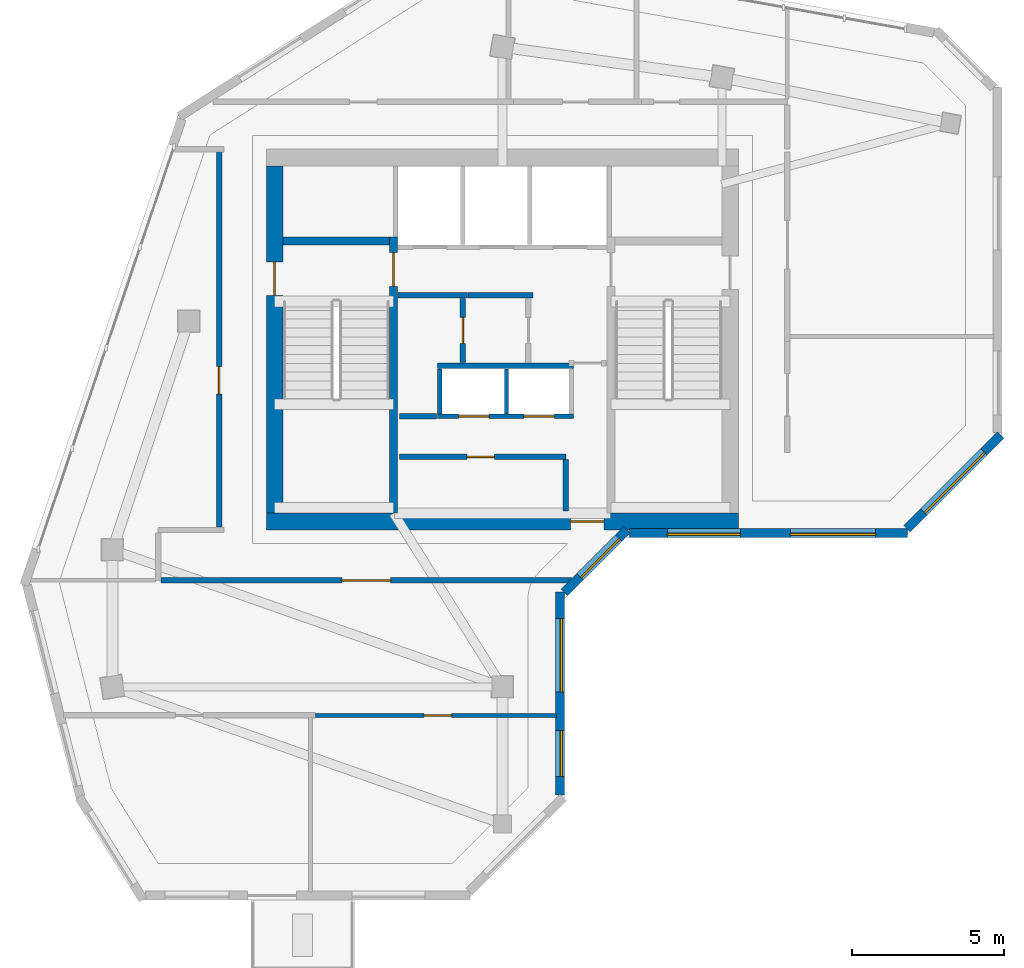
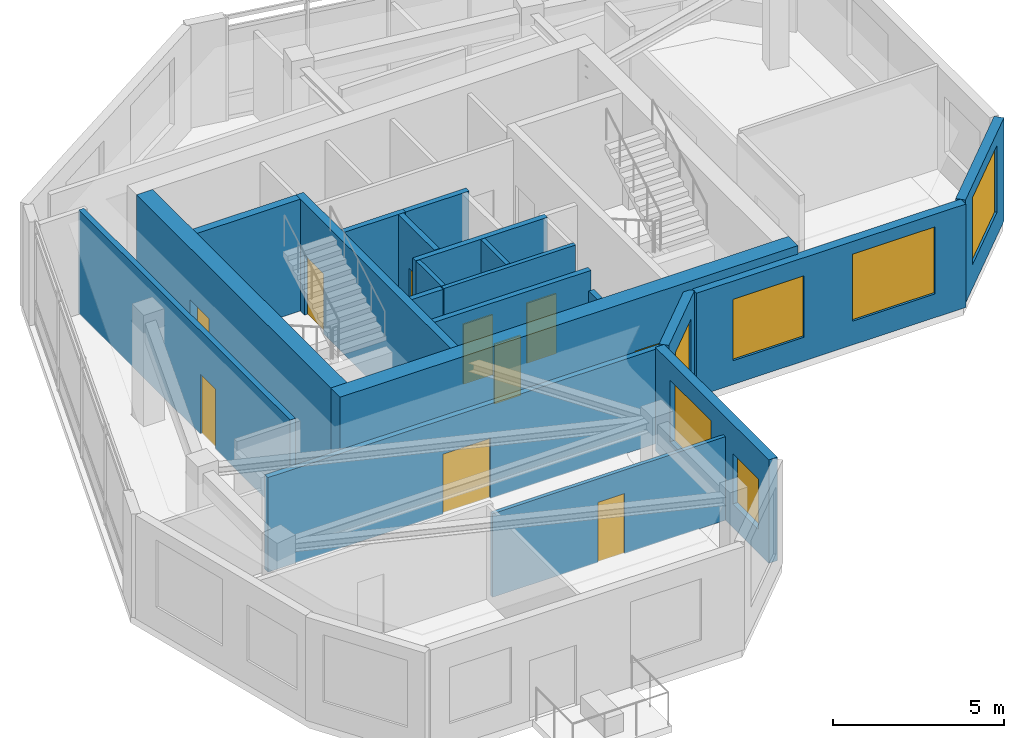
# One storey, part 3 of 8: 21 walls, 10 doors, 6 windows, 16 openings.
"""IFC4 building model written with IfcOpenShell, lengths in metres."""

from ifc_helpers import new_model, si_unit, direction, frame, frame_2d, origin, place, context, subcontext, project, spatial, rectangle, extrude, source, transform, mapped, material, layer, layer_set, type_object, element, fill, save


model = new_model("IFC4")

# Units and contexts
model_context = context("Model", 3, precision=1e-05, world=origin(), true_north=direction((0.0, 1.0)))
body_context = subcontext(model_context, "Body", "Model", "MODEL_VIEW")
ifc_project = project(units=[si_unit("LENGTHUNIT", "METRE"), si_unit("AREAUNIT", "SQUARE_METRE"), si_unit("VOLUMEUNIT", "CUBIC_METRE"), si_unit("PLANEANGLEUNIT", "RADIAN"), si_unit("MASSUNIT", "GRAM", prefix="KILO")], contexts=[model_context])

# Site, building, storey
site_placement = place(None, origin())
site = spatial("IfcSite", under=ifc_project, at=site_placement, CompositionType="ELEMENT")
building_placement = place(site_placement, origin())
building = spatial("IfcBuilding", under=site, at=building_placement, Name="Calvemar Wedge Station Tower", CompositionType="ELEMENT")
storey_placement = place(building_placement, frame((0.0, 0.0, 300.5)))
storey = spatial("IfcBuildingStorey", under=building, at=storey_placement, Name="L77", CompositionType="ELEMENT", Elevation=300.5)

# Wall, opening, door
ifc_material_1 = material(Name="Concrete C50", Category="concrete")
ifc_layer_1 = layer(ifc_material_1, 0.260009765625)
ifc_layer_set_1 = layer_set([ifc_layer_1], Name="Concrete C50")
wall_type_1 = type_object("IfcWallType", Name="SW-CORE-260", PredefinedType="SHEAR", material=ifc_layer_set_1)
wall_1_placement = place(storey_placement, frame((20.22998046875, 34.199951171875, 0.0), z_axis=(0.0, 0.0, 1.0), x_axis=(0.0, 1.0, 0.0)))
wall_1 = element("IfcWall", 1, at=wall_1_placement, inside=storey, type_object=wall_type_1, Name="Storey L77 Core Shear Wall SPINE-W", PredefinedType="SHEAR", context=body_context, shape_type="SweptSolid", body=[
    extrude(rectangle(XDim=9.06005859375, YDim=0.260009765625, at=frame_2d((4.530029296875, 0.0))), origin(), (0.0, 0.0, 1.0), 4.0),
])
shared_shape_1 = source(origin(), body_context, "Body", "SweptSolid", [
    extrude(rectangle(XDim=1.10009765625, YDim=2.14990234375, at=frame_2d((0.550048828125, 1.074951171875))), frame((0.0, 0.14013671875, 0.0), z_axis=(0.0, -1.0, 0.0), x_axis=(1.0, 0.0, 0.0)), (0.0, 0.0, 1.0), 0.280029296875),
])
opening_1_placement = place(wall_1_placement, frame((7.449951171875, 0.0, 0.0)))
opening_1 = element("IfcOpeningElement", 2, at=opening_1_placement, cuts=wall_1, Name="Opening FD-90", PredefinedType="OPENING", context=body_context, shape_type="MappedRepresentation", body=[
    mapped(shared_shape_1, transform((0.0, 0.0, 0.0), scale=1.0)),
])
ifc_material_2 = material(Name="Galvanized fire-rated steel door leaf P-90", Category="steel")
door_type_1 = type_object("IfcDoorType", Name="DR-FD90-1100", OperationType="NOTDEFINED", PredefinedType="DOOR", material=ifc_material_2)
shared_shape_2 = source(origin(), body_context, "Body", "SweptSolid", [
    extrude(rectangle(XDim=1.10009765625, YDim=2.14990234375, at=frame_2d((0.550048828125, 1.074951171875))), frame((0.0, 0.02490234375, 0.0), z_axis=(0.0, -1.0, 0.0), x_axis=(1.0, 0.0, 0.0)), (0.0, 0.0, 1.0), 0.050048828125),
])
door_1_placement = place(opening_1_placement, origin())
door_1 = element("IfcDoor", 3, at=door_1_placement, inside=storey, type_object=door_type_1, Name="L77 FF Lobby to Stair ST-C1 Door", OperationType="SINGLE_SWING_LEFT", OverallHeight=2.14990234375, OverallWidth=1.10009765625, PredefinedType="DOOR", context=body_context, shape_type="MappedRepresentation", body=[
    mapped(shared_shape_2, transform((0.0, 0.0, 0.0), scale=1.0)),
])
fill(opening_1, door_1)

# Wall
wall_2_placement = place(storey_placement, frame((16.60009765625, 43.1298828125, 0.0), z_axis=(0.0, 0.0, 1.0), x_axis=(1.0, 0.0, 0.0)))
element("IfcWall", 4, at=wall_2_placement, inside=storey, type_object=wall_type_1, Name="Storey L77 Core Shear Wall STC1-N", PredefinedType="SHEAR", context=body_context, shape_type="SweptSolid", body=[
    extrude(rectangle(XDim=3.5, YDim=0.260009765625, at=frame_2d((1.75, 0.0))), origin(), (0.0, 0.0, 1.0), 4.0),
])

# Wall, opening, door
ifc_material_3 = material(Name="Concrete C60", Category="concrete")
ifc_layer_2 = layer(ifc_material_3, 0.550048828125)
ifc_layer_set_2 = layer_set([ifc_layer_2], Name="Concrete C60")
wall_type_2 = type_object("IfcWallType", Name="SW-CORE-550", PredefinedType="SHEAR", material=ifc_layer_set_2)
wall_3_placement = place(storey_placement, frame((16.050048828125, 33.925048828125, 0.0), z_axis=(0.0, 0.0, 1.0), x_axis=(1.0, 0.0, 0.0)))
wall_3 = element("IfcWall", 5, at=wall_3_placement, inside=storey, type_object=wall_type_2, Name="Storey L77 Core Shear Wall S", PredefinedType="SHEAR", context=body_context, shape_type="SweptSolid", body=[
    extrude(rectangle(XDim=15.5, YDim=0.550048828125, at=frame_2d((7.75, 0.0))), origin(), (0.0, 0.0, 1.0), 4.0),
])
shared_shape_3 = source(origin(), body_context, "Body", "SweptSolid", [
    extrude(rectangle(XDim=1.10009765625, YDim=2.14990234375, at=frame_2d((0.550048828125, 1.074951171875))), frame((0.0, 0.28515625, 0.0), z_axis=(0.0, -1.0, 0.0), x_axis=(1.0, 0.0, 0.0)), (0.0, 0.0, 1.0), 0.570068359375),
])
opening_2_placement = place(wall_3_placement, frame((9.97998046875, 0.0, 0.0)))
opening_2 = element("IfcOpeningElement", 6, at=opening_2_placement, cuts=wall_3, Name="Opening FD-90", PredefinedType="OPENING", context=body_context, shape_type="MappedRepresentation", body=[
    mapped(shared_shape_3, transform((0.0, 0.0, 0.0), scale=1.0)),
])
door_2_placement = place(opening_2_placement, origin())
door_2 = element("IfcDoor", 7, at=door_2_placement, inside=storey, type_object=door_type_1, Name="L77 Passenger Lift Lobby Door", OperationType="SINGLE_SWING_LEFT", OverallHeight=2.14990234375, OverallWidth=1.10009765625, PredefinedType="DOOR", context=body_context, shape_type="MappedRepresentation", body=[
    mapped(shared_shape_2, transform((0.0, 0.0, 0.0), scale=1.0)),
])
fill(opening_2, door_2)

wall_4_placement = place(storey_placement, frame((16.324951171875, 34.199951171875, 0.0), z_axis=(0.0, 0.0, 1.0), x_axis=(0.0, 1.0, 0.0)))
wall_4 = element("IfcWall", 8, at=wall_4_placement, inside=storey, type_object=wall_type_2, Name="Storey L77 Core Shear Wall W", PredefinedType="SHEAR", context=body_context, shape_type="SweptSolid", body=[
    extrude(rectangle(XDim=11.400146484375, YDim=0.550048828125, at=frame_2d((5.7001953125, 0.0))), origin(), (0.0, 0.0, 1.0), 4.0),
])
opening_3_placement = place(wall_4_placement, frame((7.14990234375, 0.0, 0.0)))
opening_3 = element("IfcOpeningElement", 9, at=opening_3_placement, cuts=wall_4, Name="Opening FD-90", PredefinedType="OPENING", context=body_context, shape_type="MappedRepresentation", body=[
    mapped(shared_shape_3, transform((0.0, 0.0, 0.0), scale=1.0)),
])
door_3_placement = place(opening_3_placement, origin())
door_3 = element("IfcDoor", 10, at=door_3_placement, inside=storey, type_object=door_type_1, Name="L77 West Corridor to Exit Stair ST-C1 Door", OperationType="SINGLE_SWING_LEFT", OverallHeight=2.14990234375, OverallWidth=1.10009765625, PredefinedType="DOOR", context=body_context, shape_type="MappedRepresentation", body=[
    mapped(shared_shape_2, transform((0.0, 0.0, 0.0), scale=1.0)),
])
fill(opening_3, door_3)

# Walls
ifc_material_4 = material(Name="Double-stud fire-rated corridor partition")
ifc_layer_3 = layer(ifc_material_4, 0.179931640625)
ifc_layer_set_3 = layer_set([ifc_layer_3], Name="Double-stud fire-rated corridor partition")
wall_type_3 = type_object("IfcWallType", Name="W-CORR-180", PredefinedType="PARTITIONING", material=ifc_layer_set_3)
wall_5_placement = place(storey_placement, frame((22.659912109375, 41.35009765625, 0.0), z_axis=(0.0, 0.0, 1.0), x_axis=(-1.0, 0.0, 0.0)))
element("IfcWall", 11, at=wall_5_placement, inside=storey, type_object=wall_type_3, Name="Storey L77 Interior Partition WL-L77-001", PredefinedType="PARTITIONING", context=body_context, shape_type="SweptSolid", body=[
    extrude(rectangle(XDim=2.280029296875, YDim=0.179931640625, at=frame_2d((1.14013671875, 0.0))), origin(), (0.0, 0.0, 1.0), 3.699951171875),
])
wall_6_placement = place(storey_placement, frame((24.81005859375, 41.35009765625, 0.0), z_axis=(0.0, 0.0, 1.0), x_axis=(-1.0, 0.0, 0.0)))
element("IfcWall", 12, at=wall_6_placement, inside=storey, type_object=wall_type_3, Name="Storey L77 Interior Partition WL-L77-002", PredefinedType="PARTITIONING", context=body_context, shape_type="SweptSolid", body=[
    extrude(rectangle(XDim=2.14794921875, YDim=0.179931640625, at=frame_2d((1.073974609375, 0.0))), origin(), (0.0, 0.0, 1.0), 3.699951171875),
])

# Wall, opening, door
wall_7_placement = place(storey_placement, frame((22.5, 41.256103515625, 0.0), z_axis=(0.0, 0.0, 1.0), x_axis=(0.0, -1.0, 0.0)))
wall_7 = element("IfcWall", 13, at=wall_7_placement, inside=storey, type_object=wall_type_3, Name="Storey L77 Interior Partition WL-L77-003", PredefinedType="PARTITIONING", context=body_context, shape_type="SweptSolid", body=[
    extrude(rectangle(XDim=2.106201171875, YDim=0.179931640625, at=frame_2d((1.05322265625, 0.0))), origin(), (0.0, 0.0, 1.0), 3.699951171875),
])
shared_shape_4 = source(origin(), body_context, "Body", "SweptSolid", [
    extrude(rectangle(XDim=0.85009765625, YDim=2.14990234375, at=frame_2d((0.425048828125, 1.074951171875))), frame((0.0, 0.10009765625, 0.0), z_axis=(0.0, -1.0, 0.0), x_axis=(1.0, 0.0, 0.0)), (0.0, 0.0, 1.0), 0.199951171875),
])
opening_4_placement = place(wall_7_placement, frame((0.6279296875, 0.0, 0.0)))
opening_4 = element("IfcOpeningElement", 14, at=opening_4_placement, cuts=wall_7, Name="Opening FD-60S", PredefinedType="OPENING", context=body_context, shape_type="MappedRepresentation", body=[
    mapped(shared_shape_4, transform((0.0, 0.0, 0.0), scale=1.0)),
])
ifc_material_5 = material(Name="Fire-rated steel and hardwood service door EI 60", Category="steel")
door_type_2 = type_object("IfcDoorType", Name="DR-CORE-FD60-850", OperationType="NOTDEFINED", PredefinedType="DOOR", material=ifc_material_5)
shared_shape_5 = source(origin(), body_context, "Body", "SweptSolid", [
    extrude(rectangle(XDim=0.85009765625, YDim=2.14990234375, at=frame_2d((0.425048828125, 1.074951171875))), frame((0.0, 0.02490234375, 0.0), z_axis=(0.0, -1.0, 0.0), x_axis=(1.0, 0.0, 0.0)), (0.0, 0.0, 1.0), 0.050048828125),
])
door_4_placement = place(opening_4_placement, origin())
door_4 = element("IfcDoor", 15, at=door_4_placement, inside=storey, type_object=door_type_2, Name="L77 IT and Telecoms Room Door", OperationType="SINGLE_SWING_RIGHT", OverallHeight=2.14990234375, OverallWidth=0.85009765625, PredefinedType="DOOR", context=body_context, shape_type="MappedRepresentation", body=[
    mapped(shared_shape_5, transform((0.0, 0.0, 0.0), scale=1.0)),
])
fill(opening_4, door_4)

# Wall
wall_8_placement = place(storey_placement, frame((21.6298828125, 37.3798828125, 0.0), z_axis=(0.0, 0.0, 1.0), x_axis=(-1.0, 0.0, 0.0)))
element("IfcWall", 16, at=wall_8_placement, inside=storey, type_object=wall_type_3, Name="Storey L77 Interior Partition WL-L77-004", PredefinedType="PARTITIONING", context=body_context, shape_type="SweptSolid", body=[
    extrude(rectangle(XDim=1.2099609375, YDim=0.179931640625, at=frame_2d((0.60498046875, 0.0))), origin(), (0.0, 0.0, 1.0), 3.699951171875),
])

# Wall, opening, door
wall_9_placement = place(storey_placement, frame((20.419921875, 36.050048828125, 0.0), z_axis=(0.0, 0.0, 1.0), x_axis=(1.0, 0.0, 0.0)))
wall_9 = element("IfcWall", 17, at=wall_9_placement, inside=storey, type_object=wall_type_3, Name="Storey L77 Interior Partition WL-L77-007", PredefinedType="PARTITIONING", context=body_context, shape_type="SweptSolid", body=[
    extrude(rectangle(XDim=5.4599609375, YDim=0.179931640625, at=frame_2d((2.72998046875, 0.0))), origin(), (0.0, 0.0, 1.0), 3.699951171875),
])
shared_shape_6 = source(origin(), body_context, "Body", "SweptSolid", [
    extrude(rectangle(XDim=0.89990234375, YDim=2.14990234375, at=frame_2d((0.449951171875, 1.074951171875))), frame((0.0, 0.10009765625, 0.0), z_axis=(0.0, -1.0, 0.0), x_axis=(1.0, 0.0, 0.0)), (0.0, 0.0, 1.0), 0.199951171875),
])
opening_5_placement = place(wall_9_placement, frame((2.219482421875, 0.0, 0.0)))
opening_5 = element("IfcOpeningElement", 18, at=opening_5_placement, cuts=wall_9, Name="Opening FD-60", PredefinedType="OPENING", context=body_context, shape_type="MappedRepresentation", body=[
    mapped(shared_shape_6, transform((0.0, 0.0, 0.0), scale=1.0)),
])
ifc_material_6 = material(Name="Fire-rated acoustic timber-core entrance door EI 60", Category="wood")
door_type_3 = type_object("IfcDoorType", Name="DR-FD60-900", OperationType="NOTDEFINED", PredefinedType="DOOR", material=ifc_material_6)
shared_shape_7 = source(origin(), body_context, "Body", "SweptSolid", [
    extrude(rectangle(XDim=0.89990234375, YDim=2.14990234375, at=frame_2d((0.449951171875, 1.074951171875))), frame((0.0, 0.02490234375, 0.0), z_axis=(0.0, -1.0, 0.0), x_axis=(1.0, 0.0, 0.0)), (0.0, 0.0, 1.0), 0.050048828125),
])
door_5_placement = place(opening_5_placement, origin())
door_5 = element("IfcDoor", 19, at=door_5_placement, inside=storey, type_object=door_type_3, Name="L77 Wine and Parcel Store Door", OperationType="SINGLE_SWING_LEFT", OverallHeight=2.14990234375, OverallWidth=0.89990234375, PredefinedType="DOOR", context=body_context, shape_type="MappedRepresentation", body=[
    mapped(shared_shape_7, transform((0.0, 0.0, 0.0), scale=1.0)),
])
fill(opening_5, door_5)

# Wall
wall_10_placement = place(storey_placement, frame((25.8798828125, 35.9560546875, 0.0), z_axis=(0.0, 0.0, 1.0), x_axis=(0.0, -1.0, 0.0)))
element("IfcWall", 20, at=wall_10_placement, inside=storey, type_object=wall_type_3, Name="Storey L77 Interior Partition WL-L77-008", PredefinedType="PARTITIONING", context=body_context, shape_type="SweptSolid", body=[
    extrude(rectangle(XDim=1.68603515625, YDim=0.179931640625, at=frame_2d((0.843017578125, 0.0))), origin(), (0.0, 0.0, 1.0), 2.991943359375),
])

# Wall, opening, door
wall_11_placement = place(storey_placement, frame((26.065185546875, 32.0, 0.0), z_axis=(0.0, 0.0, 1.0), x_axis=(-1.0, 0.0, 0.0)))
wall_11 = element("IfcWall", 21, at=wall_11_placement, inside=storey, type_object=wall_type_3, Name="Storey L77 Interior Partition WL-L77-011", PredefinedType="PARTITIONING", context=body_context, shape_type="SweptSolid", body=[
    extrude(rectangle(XDim=13.47119140625, YDim=0.179931640625, at=frame_2d((6.735595703125, 0.0))), origin(), (0.0, 0.0, 1.0), 3.384033203125),
])
shared_shape_8 = source(origin(), body_context, "Body", "SweptSolid", [
    extrude(rectangle(XDim=1.60009765625, YDim=2.14990234375, at=frame_2d((0.800048828125, 1.074951171875))), frame((0.0, 0.10009765625, 0.0), z_axis=(0.0, -1.0, 0.0), x_axis=(1.0, 0.0, 0.0)), (0.0, 0.0, 1.0), 0.199951171875),
])
opening_6_placement = place(wall_11_placement, frame((5.935546875, 0.0, 0.0)))
opening_6 = element("IfcOpeningElement", 22, at=opening_6_placement, cuts=wall_11, Name="Opening DD-160", PredefinedType="OPENING", context=body_context, shape_type="MappedRepresentation", body=[
    mapped(shared_shape_8, transform((0.0, 0.0, 0.0), scale=1.0)),
])
ifc_material_7 = material(Name="Double-leaf fire-rated lobby door EI 60")
door_type_4 = type_object("IfcDoorType", Name="DR-DBL-1600", OperationType="DOUBLE_DOOR_SINGLE_SWING", PredefinedType="DOOR", material=ifc_material_7)
shared_shape_9 = source(origin(), body_context, "Body", "SweptSolid", [
    extrude(rectangle(XDim=1.60009765625, YDim=2.14990234375, at=frame_2d((0.800048828125, 1.074951171875))), frame((0.0, 0.02490234375, 0.0), z_axis=(0.0, -1.0, 0.0), x_axis=(1.0, 0.0, 0.0)), (0.0, 0.0, 1.0), 0.050048828125),
])
door_6_placement = place(opening_6_placement, origin())
door_6 = element("IfcDoor", 23, at=door_6_placement, inside=storey, type_object=door_type_4, Name="L77 Summit Panoramic Restaurant Door", OperationType="SINGLE_SWING_RIGHT", OverallHeight=2.14990234375, OverallWidth=1.60009765625, PredefinedType="DOOR", context=body_context, shape_type="MappedRepresentation", body=[
    mapped(shared_shape_9, transform((0.0, 0.0, 0.0), scale=1.0)),
])
fill(opening_6, door_6)

wall_12_placement = place(storey_placement, frame((14.5, 33.743896484375, 0.0), z_axis=(0.0, 0.0, 1.0), x_axis=(0.0, 1.0, 0.0)))
wall_12 = element("IfcWall", 24, at=wall_12_placement, inside=storey, type_object=wall_type_3, Name="Storey L77 Interior Partition WL-L77-012", PredefinedType="PARTITIONING", context=body_context, shape_type="SweptSolid", body=[
    extrude(rectangle(XDim=12.406005859375, YDim=0.179931640625, at=frame_2d((6.203125, 0.0))), origin(), (0.0, 0.0, 1.0), 3.699951171875),
])
opening_7_placement = place(wall_12_placement, frame((4.36962890625, 0.0, 0.0)))
opening_7 = element("IfcOpeningElement", 25, at=opening_7_placement, cuts=wall_12, Name="Opening D-01", PredefinedType="OPENING", context=body_context, shape_type="MappedRepresentation", body=[
    mapped(shared_shape_6, transform((0.0, 0.0, 0.0), scale=1.0)),
])
ifc_material_8 = material(Name="Architectural hardwood acoustic swing door", Category="wood")
door_type_5 = type_object("IfcDoorType", Name="DR-INT-900", OperationType="NOTDEFINED", PredefinedType="DOOR", material=ifc_material_8)
shared_shape_10 = source(origin(), body_context, "Body", "SweptSolid", [
    extrude(rectangle(XDim=0.89990234375, YDim=2.14990234375, at=frame_2d((0.449951171875, 1.074951171875))), frame((0.0, 0.02490234375, 0.0), z_axis=(0.0, -1.0, 0.0), x_axis=(1.0, 0.0, 0.0)), (0.0, 0.0, 1.0), 0.050048828125),
])
door_7_placement = place(opening_7_placement, origin())
door_7 = element("IfcDoor", 26, at=door_7_placement, inside=storey, type_object=door_type_5, Name="L77 Resident Reading Lounge Door", OperationType="SINGLE_SWING_RIGHT", OverallHeight=2.14990234375, OverallWidth=0.89990234375, PredefinedType="DOOR", context=body_context, shape_type="MappedRepresentation", body=[
    mapped(shared_shape_10, transform((0.0, 0.0, 0.0), scale=1.0)),
])
fill(opening_7, door_7)

# Wall, openings, windows
ifc_material_9 = material(Name="Precast concrete C45", Category="concrete")
ifc_layer_4 = layer(ifc_material_9, 0.300048828125)
ifc_layer_set_4 = layer_set([ifc_layer_4], Name="Precast concrete C45")
wall_type_4 = type_object("IfcWallType", Name="W-EXT-GFRC-300", PredefinedType="SOLIDWALL", material=ifc_layer_set_4)
wall_13_placement = place(storey_placement, frame((25.68994140625, 24.957275390625, 0.0), z_axis=(0.0, 0.0, 1.0), x_axis=(0.0, 1.0, 0.0)))
wall_13 = element("IfcWall", 27, at=wall_13_placement, inside=storey, type_object=wall_type_4, Name="Storey L77 Bronze GFRC Exterior Wall 4", PredefinedType="SOLIDWALL", context=body_context, shape_type="SweptSolid", body=[
    extrude(rectangle(XDim=6.65478515625, YDim=0.300048828125, at=frame_2d((3.327392578125, 0.0))), origin(), (0.0, 0.0, 1.0), 3.699951171875),
])
shared_shape_11 = source(origin(), body_context, "Body", "SweptSolid", [
    extrude(rectangle(XDim=1.5, YDim=1.800048828125, at=frame_2d((0.75, 0.89990234375))), frame((0.0, 0.16015625, 0.0), z_axis=(0.0, -1.0, 0.0), x_axis=(1.0, 0.0, 0.0)), (0.0, 0.0, 1.0), 0.320068359375),
])
opening_8_placement = place(wall_13_placement, frame((0.60400390625, 0.0, 0.85009765625)))
opening_8 = element("IfcOpeningElement", 28, at=opening_8_placement, cuts=wall_13, Name="Opening W3", PredefinedType="OPENING", context=body_context, shape_type="MappedRepresentation", body=[
    mapped(shared_shape_11, transform((0.0, 0.0, 0.0), scale=1.0)),
])
shared_shape_12 = source(origin(), body_context, "Body", "SweptSolid", [
    extrude(rectangle(XDim=2.39990234375, YDim=2.199951171875, at=frame_2d((1.199951171875, 1.10009765625))), frame((0.0, 0.16015625, 0.0), z_axis=(0.0, -1.0, 0.0), x_axis=(1.0, 0.0, 0.0)), (0.0, 0.0, 1.0), 0.320068359375),
])
opening_9_placement = place(wall_13_placement, frame((3.381103515625, 0.0, 0.85009765625)))
opening_9 = element("IfcOpeningElement", 29, at=opening_9_placement, cuts=wall_13, Name="Opening W1", PredefinedType="OPENING", context=body_context, shape_type="MappedRepresentation", body=[
    mapped(shared_shape_12, transform((0.0, 0.0, 0.0), scale=1.0)),
])
ifc_material_10 = material(Name="Low-E laminated insulated glass", Category="glass")
window_type_1 = type_object("IfcWindowType", Name="WIN-EXT-1", PartitioningType="SINGLE_PANEL", PredefinedType="WINDOW", material=ifc_material_10)
shared_shape_13 = source(origin(), body_context, "Body", "SweptSolid", [
    extrude(rectangle(XDim=2.39990234375, YDim=2.199951171875, at=frame_2d((1.199951171875, 1.10009765625))), frame((0.0, -0.014892578125, 0.0), z_axis=(0.0, -1.0, 0.0), x_axis=(1.0, 0.0, 0.0)), (0.0, 0.0, 1.0), 0.06005859375),
])
window_1_placement = place(opening_9_placement, origin())
window_1 = element("IfcWindow", 30, at=window_1_placement, inside=storey, type_object=window_type_1, Name="Storey L77 Recessed Window 4.2", OverallHeight=2.199951171875, OverallWidth=2.39990234375, PartitioningType="SINGLE_PANEL", PredefinedType="WINDOW", context=body_context, shape_type="MappedRepresentation", body=[
    mapped(shared_shape_13, transform((0.0, 0.0, 0.0), scale=1.0)),
])
fill(opening_9, window_1)
window_type_2 = type_object("IfcWindowType", Name="WIN-EXT-3", PartitioningType="SINGLE_PANEL", PredefinedType="WINDOW", material=ifc_material_10)
shared_shape_14 = source(origin(), body_context, "Body", "SweptSolid", [
    extrude(rectangle(XDim=1.5, YDim=1.800048828125, at=frame_2d((0.75, 0.89990234375))), frame((0.0, -0.014892578125, 0.0), z_axis=(0.0, -1.0, 0.0), x_axis=(1.0, 0.0, 0.0)), (0.0, 0.0, 1.0), 0.06005859375),
])
window_2_placement = place(opening_8_placement, origin())
window_2 = element("IfcWindow", 31, at=window_2_placement, inside=storey, type_object=window_type_2, Name="Storey L77 Recessed Window 4.1", OverallHeight=1.800048828125, OverallWidth=1.5, PartitioningType="SINGLE_PANEL", PredefinedType="WINDOW", context=body_context, shape_type="MappedRepresentation", body=[
    mapped(shared_shape_14, transform((0.0, 0.0, 0.0), scale=1.0)),
])
fill(opening_8, window_2)

# Wall, opening, window
wall_14_placement = place(storey_placement, frame((25.827880859375, 31.60009765625, 0.0), z_axis=(0.0, 0.0, 1.0), x_axis=(0.707106781187, 0.707106781187, 0.0)))
wall_14 = element("IfcWall", 32, at=wall_14_placement, inside=storey, type_object=wall_type_4, Name="Storey L77 Bronze GFRC Exterior Wall 5", PredefinedType="SOLIDWALL", context=body_context, shape_type="SweptSolid", body=[
    extrude(rectangle(XDim=2.907470703125, YDim=0.300048828125, at=frame_2d((1.45361328125, 0.0))), origin(), (0.0, 0.0, 1.0), 3.699951171875),
])
shared_shape_15 = source(origin(), body_context, "Body", "SweptSolid", [
    extrude(rectangle(XDim=1.800048828125, YDim=2.10009765625, at=frame_2d((0.89990234375, 1.050048828125))), frame((0.0, 0.16015625, 0.0), z_axis=(0.0, -1.0, 0.0), x_axis=(1.0, 0.0, 0.0)), (0.0, 0.0, 1.0), 0.320068359375),
])
opening_10_placement = place(wall_14_placement, frame((0.72900390625, 0.0, 0.85009765625)))
opening_10 = element("IfcOpeningElement", 33, at=opening_10_placement, cuts=wall_14, Name="Opening W2", PredefinedType="OPENING", context=body_context, shape_type="MappedRepresentation", body=[
    mapped(shared_shape_15, transform((0.0, 0.0, 0.0), scale=1.0)),
])
window_type_3 = type_object("IfcWindowType", Name="WIN-EXT-2", PartitioningType="SINGLE_PANEL", PredefinedType="WINDOW", material=ifc_material_10)
shared_shape_16 = source(origin(), body_context, "Body", "SweptSolid", [
    extrude(rectangle(XDim=1.800048828125, YDim=2.10009765625, at=frame_2d((0.89990234375, 1.050048828125))), frame((0.0, -0.014892578125, 0.0), z_axis=(0.0, -1.0, 0.0), x_axis=(1.0, 0.0, 0.0)), (0.0, 0.0, 1.0), 0.06005859375),
])
window_3_placement = place(opening_10_placement, origin())
window_3 = element("IfcWindow", 34, at=window_3_placement, inside=storey, type_object=window_type_3, Name="Storey L77 Recessed Window 5.1", OverallHeight=2.10009765625, OverallWidth=1.800048828125, PartitioningType="SINGLE_PANEL", PredefinedType="WINDOW", context=body_context, shape_type="MappedRepresentation", body=[
    mapped(shared_shape_16, transform((0.0, 0.0, 0.0), scale=1.0)),
])
fill(opening_10, window_3)

# Wall, openings, windows
wall_15_placement = place(storey_placement, frame((27.972900390625, 33.550048828125, 0.0), z_axis=(0.0, 0.0, 1.0), x_axis=(1.0, 0.0, 0.0)))
wall_15 = element("IfcWall", 35, at=wall_15_placement, inside=storey, type_object=wall_type_4, Name="Storey L77 Bronze GFRC Exterior Wall 6", PredefinedType="SOLIDWALL", context=body_context, shape_type="SweptSolid", body=[
    extrude(rectangle(XDim=9.114990234375, YDim=0.300048828125, at=frame_2d((4.5576171875, 0.0))), origin(), (0.0, 0.0, 1.0), 3.699951171875),
])
opening_11_placement = place(wall_15_placement, frame((1.239013671875, 0.0, 0.85009765625)))
opening_11 = element("IfcOpeningElement", 36, at=opening_11_placement, cuts=wall_15, Name="Opening W1", PredefinedType="OPENING", context=body_context, shape_type="MappedRepresentation", body=[
    mapped(shared_shape_12, transform((0.0, 0.0, 0.0), scale=1.0)),
])
shared_shape_17 = source(origin(), body_context, "Body", "SweptSolid", [
    extrude(rectangle(XDim=2.800048828125, YDim=2.39990234375, at=frame_2d((1.39990234375, 1.199951171875))), frame((0.0, 0.16015625, 0.0), z_axis=(0.0, -1.0, 0.0), x_axis=(1.0, 0.0, 0.0)), (0.0, 0.0, 1.0), 0.320068359375),
])
opening_12_placement = place(wall_15_placement, frame((5.27587890625, 0.0, 0.85009765625)))
opening_12 = element("IfcOpeningElement", 37, at=opening_12_placement, cuts=wall_15, Name="Opening W6", PredefinedType="OPENING", context=body_context, shape_type="MappedRepresentation", body=[
    mapped(shared_shape_17, transform((0.0, 0.0, 0.0), scale=1.0)),
])
window_type_4 = type_object("IfcWindowType", Name="WIN-EXT-6", PartitioningType="SINGLE_PANEL", PredefinedType="WINDOW", material=ifc_material_10)
shared_shape_18 = source(origin(), body_context, "Body", "SweptSolid", [
    extrude(rectangle(XDim=2.800048828125, YDim=2.39990234375, at=frame_2d((1.39990234375, 1.199951171875))), frame((0.0, -0.014892578125, 0.0), z_axis=(0.0, -1.0, 0.0), x_axis=(1.0, 0.0, 0.0)), (0.0, 0.0, 1.0), 0.06005859375),
])
window_4_placement = place(opening_12_placement, origin())
window_4 = element("IfcWindow", 38, at=window_4_placement, inside=storey, type_object=window_type_4, Name="Storey L77 Recessed Window 6.2", OverallHeight=2.39990234375, OverallWidth=2.800048828125, PartitioningType="SINGLE_PANEL", PredefinedType="WINDOW", context=body_context, shape_type="MappedRepresentation", body=[
    mapped(shared_shape_18, transform((0.0, 0.0, 0.0), scale=1.0)),
])
fill(opening_12, window_4)
window_5_placement = place(opening_11_placement, origin())
window_5 = element("IfcWindow", 39, at=window_5_placement, inside=storey, type_object=window_type_1, Name="Storey L77 Recessed Window 6.1", OverallHeight=2.199951171875, OverallWidth=2.39990234375, PartitioningType="SINGLE_PANEL", PredefinedType="WINDOW", context=body_context, shape_type="MappedRepresentation", body=[
    mapped(shared_shape_13, transform((0.0, 0.0, 0.0), scale=1.0)),
])
fill(opening_11, window_5)

# Wall, opening, window
wall_16_placement = place(storey_placement, frame((37.075927734375, 33.68798828125, 0.0), z_axis=(0.0, 0.0, 1.0), x_axis=(0.707078757535, 0.707134803727, 0.0)))
wall_16 = element("IfcWall", 40, at=wall_16_placement, inside=storey, type_object=wall_type_4, Name="Storey L77 Bronze GFRC Exterior Wall 7", PredefinedType="SOLIDWALL", context=body_context, shape_type="SweptSolid", body=[
    extrude(rectangle(XDim=4.35595703125, YDim=0.300048828125, at=frame_2d((2.177978515625, 0.0))), origin(), (0.0, 0.0, 1.0), 3.699951171875),
])
opening_13_placement = place(wall_16_placement, frame((0.778076171875, 0.0, 0.85009765625)))
opening_13 = element("IfcOpeningElement", 41, at=opening_13_placement, cuts=wall_16, Name="Opening W6", PredefinedType="OPENING", context=body_context, shape_type="MappedRepresentation", body=[
    mapped(shared_shape_17, transform((0.0, 0.0, 0.0), scale=1.0)),
])
window_6_placement = place(opening_13_placement, origin())
window_6 = element("IfcWindow", 42, at=window_6_placement, inside=storey, type_object=window_type_4, Name="Storey L77 Recessed Window 7.1", OverallHeight=2.39990234375, OverallWidth=2.800048828125, PartitioningType="SINGLE_PANEL", PredefinedType="WINDOW", context=body_context, shape_type="MappedRepresentation", body=[
    mapped(shared_shape_18, transform((0.0, 0.0, 0.0), scale=1.0)),
])
fill(opening_13, window_6)

# Wall, openings, doors
ifc_material_11 = material(Name="Reinforced concrete blockwork lift shaft wall", Category="masonry")
ifc_layer_5 = layer(ifc_material_11, 0.139892578125)
ifc_layer_set_5 = layer_set([ifc_layer_5], Name="Reinforced concrete blockwork lift shaft wall")
wall_type_5 = type_object("IfcWallType", Name="W-LIFT-160", PredefinedType="SOLIDWALL", material=ifc_layer_set_5)
wall_17_placement = place(storey_placement, frame((21.669921875, 37.3798828125, 0.0), z_axis=(0.0, 0.0, 1.0), x_axis=(1.0, 0.0, 0.0)))
wall_17 = element("IfcWall", 43, at=wall_17_placement, inside=storey, type_object=wall_type_5, Name="Storey L77 Upper Passenger Lift Bank Front Wall", PredefinedType="SOLIDWALL", context=body_context, shape_type="SweptSolid", body=[
    extrude(rectangle(XDim=4.4599609375, YDim=0.139892578125, at=frame_2d((2.22998046875, 0.0))), origin(), (0.0, 0.0, 1.0), 3.699951171875),
])
shared_shape_19 = source(origin(), body_context, "Body", "SweptSolid", [
    extrude(rectangle(XDim=1.0, YDim=2.14990234375, at=frame_2d((0.5, 1.074951171875))), frame((0.0, 0.080078125, 0.0), z_axis=(0.0, -1.0, 0.0), x_axis=(1.0, 0.0, 0.0)), (0.0, 0.0, 1.0), 0.159912109375),
])
opening_14_placement = place(wall_17_placement, frame((0.695068359375, 0.0, 0.0)))
opening_14 = element("IfcOpeningElement", 44, at=opening_14_placement, cuts=wall_17, Name="Opening LD-PAX", PredefinedType="OPENING", context=body_context, shape_type="MappedRepresentation", body=[
    mapped(shared_shape_19, transform((0.0, 0.0, 0.0), scale=1.0)),
])
opening_15_placement = place(wall_17_placement, frame((2.8349609375, 0.0, 0.0)))
opening_15 = element("IfcOpeningElement", 45, at=opening_15_placement, cuts=wall_17, Name="Opening LD-PAX", PredefinedType="OPENING", context=body_context, shape_type="MappedRepresentation", body=[
    mapped(shared_shape_19, transform((0.0, 0.0, 0.0), scale=1.0)),
])
ifc_material_12 = material(Name="Anodised bronze passenger lift sliding landing door")
door_type_6 = type_object("IfcDoorType", Name="DR-LD-PAX-1000", OperationType="SLIDING_TO_LEFT", PredefinedType="DOOR", material=ifc_material_12)
shared_shape_20 = source(origin(), body_context, "Body", "SweptSolid", [
    extrude(rectangle(XDim=1.0, YDim=2.14990234375, at=frame_2d((0.5, 1.074951171875))), frame((0.0, 0.02490234375, 0.0), z_axis=(0.0, -1.0, 0.0), x_axis=(1.0, 0.0, 0.0)), (0.0, 0.0, 1.0), 0.050048828125),
])
door_8_placement = place(opening_14_placement, origin())
door_8 = element("IfcDoor", 46, at=door_8_placement, inside=storey, type_object=door_type_6, Name="L77 Lift RH-02 Sliding Landing Door", OperationType="SLIDING_TO_RIGHT", OverallHeight=2.14990234375, OverallWidth=1.0, PredefinedType="DOOR", context=body_context, shape_type="MappedRepresentation", body=[
    mapped(shared_shape_20, transform((0.0, 0.0, 0.0), scale=1.0)),
])
fill(opening_14, door_8)
door_9_placement = place(opening_15_placement, origin())
door_9 = element("IfcDoor", 47, at=door_9_placement, inside=storey, type_object=door_type_6, Name="L77 Lift RH-03 Sliding Landing Door", OperationType="SLIDING_TO_LEFT", OverallHeight=2.14990234375, OverallWidth=1.0, PredefinedType="DOOR", context=body_context, shape_type="MappedRepresentation", body=[
    mapped(shared_shape_20, transform((0.0, 0.0, 0.0), scale=1.0)),
])
fill(opening_15, door_9)

# Walls
for number, where, z_axis, x_axis, name in (
    (48, (21.739990234375, 37.4599609375, 0.0), (0.0, 0.0, 1.0), (0.0, 1.0, 0.0), "Storey L77 Upper Passenger Lift Shaft Wall W"),
    (49, (23.93505859375, 37.4599609375, 0.0), (0.0, 0.0, 1.0), (0.0, 1.0, 0.0), "Storey L77 Upper Passenger Lift Shaft Wall D1"),
):
    element("IfcWall", number, at=place(storey_placement, frame(where, z_axis=z_axis, x_axis=x_axis)), inside=storey, type_object=wall_type_5, Name=name, PredefinedType="SOLIDWALL", context=body_context, shape_type="SweptSolid", body=[
        extrude(rectangle(XDim=1.47998046875, YDim=0.139892578125, at=frame_2d((0.739990234375, 0.0))), origin(), (0.0, 0.0, 1.0), 3.699951171875),
    ])

# Wall, opening, door
ifc_material_13 = material(Name="Insulated acoustic gypsum stud partition")
ifc_layer_6 = layer(ifc_material_13, 0.125)
ifc_layer_set_6 = layer_set([ifc_layer_6], Name="Insulated acoustic gypsum stud partition")
wall_type_6 = type_object("IfcWallType", Name="W-PART-125", PredefinedType="PARTITIONING", material=ifc_layer_set_6)
wall_18_placement = place(storey_placement, frame((25.574951171875, 27.56494140625, 0.0), z_axis=(0.0, 0.0, 1.0), x_axis=(-1.0, 0.0, 0.0)))
wall_18 = element("IfcWall", 50, at=wall_18_placement, inside=storey, type_object=wall_type_6, Name="Storey L77 Interior Partition WL-L77-026", PredefinedType="PARTITIONING", context=body_context, shape_type="SweptSolid", body=[
    extrude(rectangle(XDim=7.912841796875, YDim=0.125, at=frame_2d((3.95654296875, 0.0))), origin(), (0.0, 0.0, 1.0), 2.991943359375),
])
shared_shape_21 = source(origin(), body_context, "Body", "SweptSolid", [
    extrude(rectangle(XDim=0.89990234375, YDim=2.14990234375, at=frame_2d((0.449951171875, 1.074951171875))), frame((0.0, 0.072509765625, 0.0), z_axis=(0.0, -1.0, 0.0), x_axis=(1.0, 0.0, 0.0)), (0.0, 0.0, 1.0), 0.14501953125),
])
opening_16_placement = place(wall_18_placement, frame((3.445556640625, 0.0, 0.0)))
opening_16 = element("IfcOpeningElement", 51, at=opening_16_placement, cuts=wall_18, Name="Opening D-01", PredefinedType="OPENING", context=body_context, shape_type="MappedRepresentation", body=[
    mapped(shared_shape_21, transform((0.0, 0.0, 0.0), scale=1.0)),
])
door_10_placement = place(opening_16_placement, origin())
door_10 = element("IfcDoor", 52, at=door_10_placement, inside=storey, type_object=door_type_5, Name="L77 Observatory Operations Office Door", OperationType="SINGLE_SWING_RIGHT", OverallHeight=2.14990234375, OverallWidth=0.89990234375, PredefinedType="DOOR", context=body_context, shape_type="MappedRepresentation", body=[
    mapped(shared_shape_10, transform((0.0, 0.0, 0.0), scale=1.0)),
])
fill(opening_16, door_10)

# Wall
ifc_material_14 = material(Name="Concrete blockwork and fireboard shaft wall", Category="masonry")
ifc_layer_7 = layer(ifc_material_14, 0.199951171875)
ifc_layer_set_7 = layer_set([ifc_layer_7], Name="Concrete blockwork and fireboard shaft wall")
wall_type_7 = type_object("IfcWallType", Name="W-SHAFT-200", PredefinedType="SOLIDWALL", material=ifc_layer_set_7)
wall_19_placement = place(storey_placement, frame((21.669921875, 39.0400390625, 0.0), z_axis=(0.0, 0.0, 1.0), x_axis=(1.0, 0.0, 0.0)))
element("IfcWall", 53, at=wall_19_placement, inside=storey, type_object=wall_type_7, Name="Storey L77 Upper Passenger Lift Bank Rear Shaft Wall", PredefinedType="SOLIDWALL", context=body_context, shape_type="SweptSolid", body=[
    extrude(rectangle(XDim=4.4599609375, YDim=0.179931640625, at=frame_2d((2.22998046875, 0.0))), origin(), (0.0, 0.0, 1.0), 3.699951171875),
])

save(model, "model.ifc")
